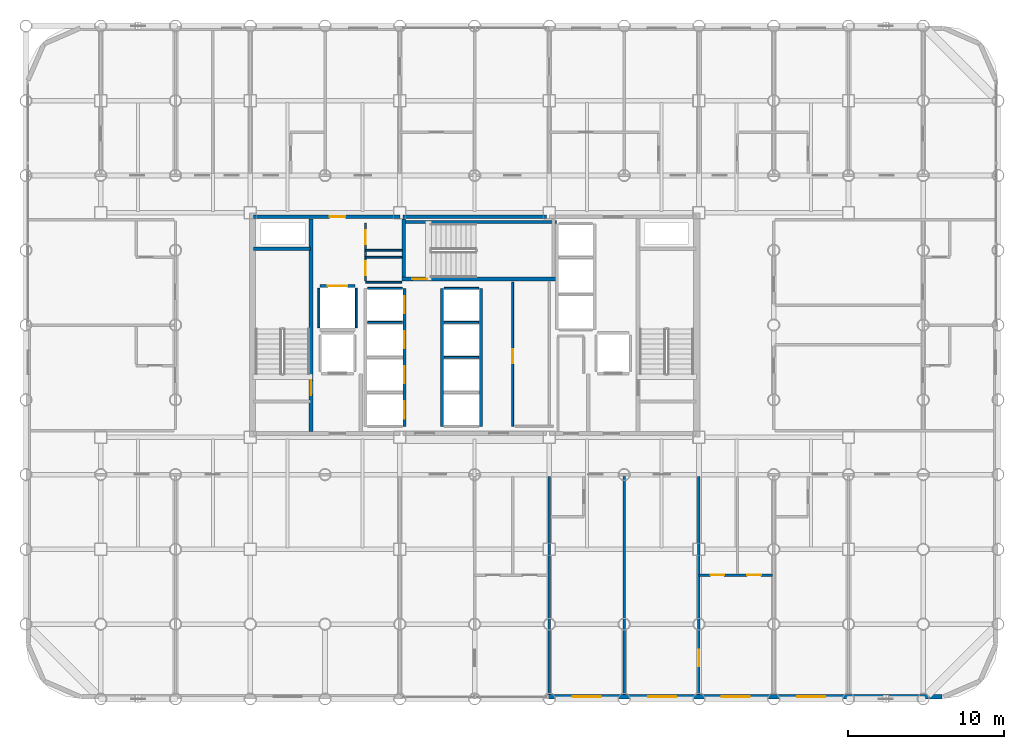
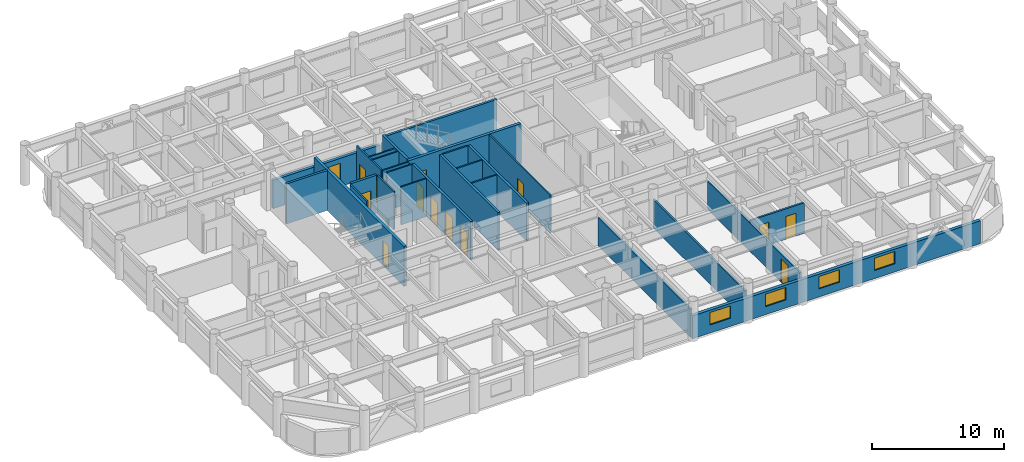
# One storey, part 16 of 20: 28 walls, 14 doors, 4 windows, 18 openings.
"""IFC4 building model written with IfcOpenShell, lengths in metres."""

import ifcopenshell
import ifcopenshell.guid

model = None  # the IFC model being written
_history = None  # IfcOwnerHistory: only IFC2X3 demands one
_inside = {}  # id of a spatial element -> (the spatial element, [elements in it])
_under = {}  # id of a project, library or spatial element -> (it, [spatial elements below it])
_declared = {}  # id of a project -> (the project, [libraries it declares])
_typed = {}  # id of a type object -> (the type object, [elements of that type])
_made_of = {}  # id of a material, layer set ... -> (it, [elements and type objects made of it])


def new_model(schema):
    """Start an empty IFC model of exactly this schema.

    Asked for "IFC4X3", IfcOpenShell would pick the latest addendum, in which some entities
    have other attributes; the version numbers below select the first issue.
    IFC2X3 requires an IfcOwnerHistory on every rooted entity: one is made here for all.
    """
    global model, _history
    if schema == "IFC4X3":
        model = ifcopenshell.file(schema_version=(4, 3, 0, 0))
    else:
        model = ifcopenshell.file(schema=schema)
    _inside.clear()
    _under.clear()
    _declared.clear()
    _typed.clear()
    _made_of.clear()
    _history = None
    if model.schema == "IFC2X3":
        org = make("IfcOrganization", Name="unknown")
        user = make(
            "IfcPersonAndOrganization",
            ThePerson=make("IfcPerson", FamilyName="unknown"),
            TheOrganization=org,
        )
        app = make(
            "IfcApplication",
            ApplicationDeveloper=org,
            Version="unknown",
            ApplicationFullName="unknown",
            ApplicationIdentifier="unknown",
        )
        _history = make(
            "IfcOwnerHistory",
            OwningUser=user,
            OwningApplication=app,
            ChangeAction="ADDED",
            CreationDate=0,
        )
    return model


def make(cls, **values):
    """One entity of the class cls with the attributes given. An attribute that is None is left unset."""
    return model.create_entity(
        cls, **{name: value for name, value in values.items() if value is not None}
    )


def rooted(cls, **values):
    """An entity with a GlobalId (a new one), such as an element, a storey or a relation."""
    return make(cls, GlobalId=ifcopenshell.guid.new(), OwnerHistory=_history, **values)


def si_unit(unit_type, name, prefix=None):
    """IfcSIUnit, for example si_unit("LENGTHUNIT", "METRE", prefix="MILLI")."""
    return make("IfcSIUnit", UnitType=unit_type, Prefix=prefix, Name=name)


def assignment(units):
    """IfcUnitAssignment: the units of a project."""
    return None if units is None else make("IfcUnitAssignment", Units=units)


def point(xyz):
    """IfcCartesianPoint."""
    return None if xyz is None else make("IfcCartesianPoint", Coordinates=xyz)


def direction(xyz):
    """IfcDirection."""
    return None if xyz is None else make("IfcDirection", DirectionRatios=xyz)


def frame(location, z_axis=None, x_axis=None):
    """IfcAxis2Placement3D, a coordinate frame: its origin and axes. An axis left out is left unset."""
    return make(
        "IfcAxis2Placement3D",
        Location=point(location),
        Axis=direction(z_axis),
        RefDirection=direction(x_axis),
    )


def frame_2d(location, x_axis=None):
    """IfcAxis2Placement2D, a coordinate frame in the plane: its origin and x axis."""
    return make(
        "IfcAxis2Placement2D", Location=point(location), RefDirection=direction(x_axis)
    )


def origin():
    """The frame at (0, 0, 0) with its axes left unset."""
    return frame((0.0, 0.0, 0.0))


def place(relative_to, where):
    """IfcLocalPlacement: puts the frame where relative to a parent placement (None: the world)."""
    return make(
        "IfcLocalPlacement", PlacementRelTo=relative_to, RelativePlacement=where
    )


def context(
    kind, dimensions, precision=None, world=None, true_north=None, identifier=None
):
    """IfcGeometricRepresentationContext, for example the 3D "Model" context."""
    return make(
        "IfcGeometricRepresentationContext",
        ContextIdentifier=identifier,
        ContextType=kind,
        CoordinateSpaceDimension=dimensions,
        Precision=precision,
        WorldCoordinateSystem=world,
        TrueNorth=true_north,
    )


def subcontext(parent, identifier, kind, view, scale=None):
    """IfcGeometricRepresentationSubContext, for example "Body" below "Model"."""
    return make(
        "IfcGeometricRepresentationSubContext",
        ContextIdentifier=identifier,
        ContextType=kind,
        ParentContext=parent,
        TargetScale=scale,
        TargetView=view,
    )


def project(units=None, contexts=None):
    """IfcProject with its units and contexts."""
    return rooted(
        "IfcProject",
        Name="project",
        RepresentationContexts=contexts,
        UnitsInContext=assignment(units),
    )


def spatial(cls, under=None, at=None, **own):
    """A site, building, storey or space (cls), placed at a placement, below another one or the project."""
    s = rooted(cls, ObjectPlacement=at, **own)
    if under is not None:
        _under.setdefault(under.id(), (under, []))[1].append(s)
    return s


def profile(cls, at=None, kind="AREA", **sizes):
    """A parametric profile (cls). Its sizes go by their IFC names, for example OverallWidth=200.0."""
    return make(cls, ProfileType=kind, Position=at, **sizes)


def rectangle(**sizes):
    """IfcRectangleProfileDef."""
    return profile("IfcRectangleProfileDef", **sizes)


def extrude(swept, where, along, depth):
    """IfcExtrudedAreaSolid: the profile swept, set in the frame where, extruded along a direction by depth."""
    return make(
        "IfcExtrudedAreaSolid",
        SweptArea=swept,
        Position=where,
        ExtrudedDirection=direction(along),
        Depth=depth,
    )


def shape(context_of_items, identifier, shape_type, items):
    """IfcShapeRepresentation: the items that make up one representation, for example the "Body"."""
    return make(
        "IfcShapeRepresentation",
        ContextOfItems=context_of_items,
        RepresentationIdentifier=identifier,
        RepresentationType=shape_type,
        Items=items,
    )


def material(Name=None, Category=None):
    """IfcMaterial."""
    return make("IfcMaterial", Name=Name, Category=Category)


def layer(
    of_material, thickness, ventilated=None, Name=None, Category=None, Priority=None
):
    """IfcMaterialLayer: one layer of a wall or slab, of a material (None: an air gap)."""
    return make(
        "IfcMaterialLayer",
        Material=of_material,
        LayerThickness=thickness,
        IsVentilated=ventilated,
        Name=Name,
        Category=Category,
        Priority=Priority,
    )


def layer_set(layers, Name=None):
    """IfcMaterialLayerSet."""
    return make("IfcMaterialLayerSet", MaterialLayers=layers, LayerSetName=Name)


def made_of(thing, what):
    """Note that an element or type object is made of a material, layer set ...; save() writes the relation."""
    if what is not None:
        _made_of.setdefault(what.id(), (what, []))[1].append(thing)
    return thing


def type_object(cls, material=None, **own):
    """A type object (cls), such as IfcWallType, which elements share."""
    return made_of(rooted(cls, **own), material)


def element(
    cls,
    number,
    at=None,
    inside=None,
    cuts=None,
    type_object=None,
    material=None,
    context=None,
    identifier="Body",
    shape_type=None,
    held_by="IfcProductDefinitionShape",
    body=None,
    shapes=None,
    **own,
):
    """One element of the class cls, such as IfcWall. Its Tag is "e" and its number.

    at: its placement. inside: the storey or other place that contains it. cuts: it is an
    opening in that element (IfcRelVoidsElement). A single representation is given by context,
    identifier, shape_type and body (its items); several are given by shapes. held_by: the class
    of the entity that holds the representations. save() writes the other relations.
    """
    e = rooted(cls, Tag="e%d" % number, ObjectPlacement=at, **own)
    if body is not None:
        shapes = [shape(context, identifier, shape_type, body)]
    if shapes is not None:
        e.Representation = make(held_by, Representations=shapes)
    if inside is not None:
        _inside.setdefault(inside.id(), (inside, []))[1].append(e)
    if cuts is not None:
        rooted(
            "IfcRelVoidsElement", RelatingBuildingElement=cuts, RelatedOpeningElement=e
        )
    if type_object is not None:
        _typed.setdefault(type_object.id(), (type_object, []))[1].append(e)
    return made_of(e, material)


def fill(opening, filler):
    """IfcRelFillsElement: the door or window that sits in an opening."""
    return rooted(
        "IfcRelFillsElement",
        RelatingOpeningElement=opening,
        RelatedBuildingElement=filler,
    )


def aggregate(whole, parts):
    """IfcRelAggregates: a whole, such as a stair, and the parts it consists of."""
    return rooted("IfcRelAggregates", RelatingObject=whole, RelatedObjects=parts)


def save(model, path):
    """Write the relations noted so far, then the file.

    IfcRelAggregates (storeys below a building ...), IfcRelContainedInSpatialStructure (elements
    in a storey), IfcRelDefinesByType, IfcRelAssociatesMaterial and IfcRelDeclares: one each for
    every whole, place, type object, material and project.
    """
    for whole, parts in _under.values():
        aggregate(whole, parts)
    for where, things in _inside.values():
        rooted(
            "IfcRelContainedInSpatialStructure",
            RelatedElements=things,
            RelatingStructure=where,
        )
    for kind, things in _typed.values():
        rooted("IfcRelDefinesByType", RelatedObjects=things, RelatingType=kind)
    for what, things in _made_of.values():
        rooted("IfcRelAssociatesMaterial", RelatedObjects=things, RelatingMaterial=what)
    for by, libraries in _declared.values():
        rooted("IfcRelDeclares", RelatingContext=by, RelatedDefinitions=libraries)
    model.write(path)


model = new_model("IFC4")

# Units and contexts
model_context = context("Model", 3, precision=1e-05, world=origin(), true_north=direction((0.0, 1.0)))
body_context = subcontext(model_context, "Body", "Model", "MODEL_VIEW")
ifc_project = project(units=[si_unit("LENGTHUNIT", "METRE"), si_unit("AREAUNIT", "SQUARE_METRE"), si_unit("VOLUMEUNIT", "CUBIC_METRE"), si_unit("PLANEANGLEUNIT", "RADIAN"), si_unit("MASSUNIT", "GRAM", prefix="KILO")], contexts=[model_context])

# Site, building, storey
site_placement = place(None, origin())
site = spatial("IfcSite", under=ifc_project, at=site_placement, CompositionType="ELEMENT")
building_placement = place(site_placement, origin())
building = spatial("IfcBuilding", under=site, at=building_placement, Name="Kallvorn Hotel Tower", CompositionType="ELEMENT")
storey_placement = place(building_placement, frame((0.0, 0.0, 70.699951171875)))
storey = spatial("IfcBuildingStorey", under=building, at=storey_placement, Name="L16", CompositionType="ELEMENT", Elevation=70.699951171875)

# Wall, openings, doors
ifc_material_1 = material(Name="Fire-rated double-layer acoustic gypsum drywall EI 60")
ifc_layer_1 = layer(ifc_material_1, 0.159912109375)
ifc_layer_set_1 = layer_set([ifc_layer_1], Name="WL_DEMISE_160")
wall_type_1 = type_object("IfcWallType", Name="WL_DEMISE_160", PredefinedType="PARTITIONING", material=ifc_layer_set_1)
wall_1_placement = place(storey_placement, frame((14.39990234375, -16.050048828125, 0.0), z_axis=(0.0, 0.0, 1.0), x_axis=(1.0, 0.0, 0.0)))
wall_1 = element("IfcWall", 1, at=wall_1_placement, inside=storey, type_object=wall_type_1, Name="L16 Suite 1607 Executive Bedroom Partition", PredefinedType="PARTITIONING", context=body_context, shape_type="SweptSolid", body=[
    extrude(rectangle(XDim=4.72021484375, YDim=0.159912109375, at=frame_2d((2.360107421875, 0.0))), origin(), (0.0, 0.0, 1.0), 2.820068359375),
])
opening_1_placement = place(wall_1_placement, frame((0.75, 0.0, 0.0)))
opening_1 = element("IfcOpeningElement", 2, at=opening_1_placement, cuts=wall_1, Name="Opening BD-I", PredefinedType="OPENING", context=body_context, shape_type="SweptSolid", body=[
    extrude(rectangle(XDim=0.860107421875, YDim=2.10009765625, at=frame_2d((0.43017578125, 1.050048828125))), frame((0.0, 0.094970703125, 0.0), z_axis=(0.0, -1.0, 0.0), x_axis=(1.0, 0.0, 0.0)), (0.0, 0.0, 1.0), 0.18994140625),
])
opening_2_placement = place(wall_1_placement, frame((3.090087890625, 0.0, 0.0)))
opening_2 = element("IfcOpeningElement", 3, at=opening_2_placement, cuts=wall_1, Name="Opening SVD1", PredefinedType="OPENING", context=body_context, shape_type="SweptSolid", body=[
    extrude(rectangle(XDim=0.89990234375, YDim=2.10009765625, at=frame_2d((0.449951171875, 1.050048828125))), frame((0.0, 0.094970703125, 0.0), z_axis=(0.0, -1.0, 0.0), x_axis=(1.0, 0.0, 0.0)), (0.0, 0.0, 1.0), 0.18994140625),
])
ifc_material_2 = material(Name="Solid-core walnut veneer fire-rated timber door leaf", Category="wood")
door_type_1 = type_object("IfcDoorType", Name="DR_BATH_860x2100", OperationType="NOTDEFINED", PredefinedType="DOOR", material=ifc_material_2)
door_1_placement = place(opening_1_placement, origin())
door_1 = element("IfcDoor", 4, at=door_1_placement, inside=storey, type_object=door_type_1, Name="L16 Suite 1607 En-Suite Bathroom Door", OperationType="SINGLE_SWING_RIGHT", OverallHeight=2.10009765625, OverallWidth=0.860107421875, PredefinedType="DOOR", context=body_context, shape_type="SweptSolid", body=[
    extrude(rectangle(XDim=0.860107421875, YDim=2.10009765625, at=frame_2d((0.43017578125, 1.050048828125))), frame((0.0, 0.02490234375, 0.0), z_axis=(0.0, -1.0, 0.0), x_axis=(1.0, 0.0, 0.0)), (0.0, 0.0, 1.0), 0.050048828125),
])
fill(opening_1, door_1)
ifc_material_3 = material(Name="Galvanised painted steel fire-rated door assembly", Category="steel")
door_type_2 = type_object("IfcDoorType", Name="DR_SERV_900x2100", OperationType="NOTDEFINED", PredefinedType="DOOR", material=ifc_material_3)
door_2_placement = place(opening_2_placement, origin())
door_2 = element("IfcDoor", 5, at=door_2_placement, inside=storey, type_object=door_type_2, Name="L16 Suite 1607 Walk-In Dressing Closet Door", OperationType="SINGLE_SWING_RIGHT", OverallHeight=2.10009765625, OverallWidth=0.89990234375, PredefinedType="DOOR", context=body_context, shape_type="SweptSolid", body=[
    extrude(rectangle(XDim=0.89990234375, YDim=2.10009765625, at=frame_2d((0.449951171875, 1.050048828125))), frame((0.0, 0.02490234375, 0.0), z_axis=(0.0, -1.0, 0.0), x_axis=(1.0, 0.0, 0.0)), (0.0, 0.0, 1.0), 0.050048828125),
])
fill(opening_2, door_2)

# Walls
for number, where, z_axis, x_axis, name in (
    (6, (4.800048828125, -23.7099609375, 0.0), (0.0, 0.0, 1.0), (0.0, 1.0, 0.0), "L16 Suite 1605 Executive Bedroom Partition"),
    (7, (9.60009765625, -23.7099609375, 0.0), (0.0, 0.0, 1.0), (0.0, 1.0, 0.0), "L16 Suite 1606 Deluxe King Room Partition"),
):
    element("IfcWall", number, at=place(storey_placement, frame(where, z_axis=z_axis, x_axis=x_axis)), inside=storey, type_object=wall_type_1, Name=name, PredefinedType="PARTITIONING", context=body_context, shape_type="SweptSolid", body=[
        extrude(rectangle(XDim=13.989990234375, YDim=0.159912109375, at=frame_2d((6.9951171875, 0.0))), origin(), (0.0, 0.0, 1.0), 2.6201171875),
    ])

# Wall, opening, door
wall_2_placement = place(storey_placement, frame((14.39990234375, -23.7099609375, 0.0), z_axis=(0.0, 0.0, 1.0), x_axis=(0.0, 1.0, 0.0)))
wall_2 = element("IfcWall", 8, at=wall_2_placement, inside=storey, type_object=wall_type_1, Name="L16 Suite 1607 Executive Bedroom Partition", PredefinedType="PARTITIONING", context=body_context, shape_type="SweptSolid", body=[
    extrude(rectangle(XDim=13.989990234375, YDim=0.159912109375, at=frame_2d((6.9951171875, 0.0))), origin(), (0.0, 0.0, 1.0), 2.6201171875),
])
opening_3_placement = place(wall_2_placement, frame((1.802978515625, 0.0, 0.0)))
opening_3 = element("IfcOpeningElement", 9, at=opening_3_placement, cuts=wall_2, Name="Opening GD2", PredefinedType="OPENING", context=body_context, shape_type="SweptSolid", body=[
    extrude(rectangle(XDim=1.050048828125, YDim=2.199951171875, at=frame_2d((0.52490234375, 1.10009765625))), frame((0.0, 0.094970703125, 0.0), z_axis=(0.0, -1.0, 0.0), x_axis=(1.0, 0.0, 0.0)), (0.0, 0.0, 1.0), 0.18994140625),
])
ifc_material_4 = material(Name="Solid-core walnut veneer fire-rated timber door leaf", Category="wood")
door_type_3 = type_object("IfcDoorType", Name="DR_SUITE_1050x2200", OperationType="NOTDEFINED", PredefinedType="DOOR", material=ifc_material_4)
door_3_placement = place(opening_3_placement, origin())
door_3 = element("IfcDoor", 10, at=door_3_placement, inside=storey, type_object=door_type_3, Name="L16 Suite 1607 Executive Bedroom Door", OperationType="SINGLE_SWING_RIGHT", OverallHeight=2.199951171875, OverallWidth=1.050048828125, PredefinedType="DOOR", context=body_context, shape_type="SweptSolid", body=[
    extrude(rectangle(XDim=1.050048828125, YDim=2.199951171875, at=frame_2d((0.52490234375, 1.10009765625))), frame((0.0, 0.02490234375, 0.0), z_axis=(0.0, -1.0, 0.0), x_axis=(1.0, 0.0, 0.0)), (0.0, 0.0, 1.0), 0.050048828125),
])
fill(opening_3, door_3)

# Wall, openings, windows
ifc_material_5 = material(Name="Precast basalt-clad insulated concrete wall C40/50", Category="masonry")
ifc_layer_2 = layer(ifc_material_5, 0.280029296875)
ifc_layer_set_2 = layer_set([ifc_layer_2], Name="WL_EXT_LOGGIA_280")
wall_type_2 = type_object("IfcWallType", Name="WL_EXT_LOGGIA_280", PredefinedType="SOLIDWALL", material=ifc_layer_set_2)
wall_3_placement = place(storey_placement, frame((4.75, -23.860107421875, 0.0), z_axis=(0.0, 0.0, 1.0), x_axis=(1.0, 0.0, 0.0)))
wall_3 = element("IfcWall", 11, at=wall_3_placement, inside=storey, type_object=wall_type_2, Name="L16 Exterior Envelope Wall EW-L16-SE", PredefinedType="SOLIDWALL", context=body_context, shape_type="SweptSolid", body=[
    extrude(rectangle(XDim=25.25, YDim=0.280029296875, at=frame_2d((12.625, 0.0))), origin(), (0.0, 0.0, 1.0), 2.1201171875),
])
opening_4_placement = place(wall_3_placement, frame((1.550048828125, 0.0, 0.75)))
opening_4 = element("IfcOpeningElement", 12, at=opening_4_placement, cuts=wall_3, Name="Opening W04A", PredefinedType="OPENING", context=body_context, shape_type="SweptSolid", body=[
    extrude(rectangle(XDim=1.800048828125, YDim=1.14990234375, at=frame_2d((0.89990234375, 0.574951171875))), frame((0.0, 0.155029296875, 0.0), z_axis=(0.0, -1.0, 0.0), x_axis=(1.0, 0.0, 0.0)), (0.0, 0.0, 1.0), 0.31005859375),
])
opening_5_placement = place(wall_3_placement, frame((6.389892578125, 0.0, 0.75)))
opening_5 = element("IfcOpeningElement", 13, at=opening_5_placement, cuts=wall_3, Name="Opening W04A", PredefinedType="OPENING", context=body_context, shape_type="SweptSolid", body=[
    extrude(rectangle(XDim=1.800048828125, YDim=1.14990234375, at=frame_2d((0.89990234375, 0.574951171875))), frame((0.0, 0.155029296875, 0.0), z_axis=(0.0, -1.0, 0.0), x_axis=(1.0, 0.0, 0.0)), (0.0, 0.0, 1.0), 0.31005859375),
])
opening_6_placement = place(wall_3_placement, frame((11.110107421875, 0.0, 0.75)))
opening_6 = element("IfcOpeningElement", 14, at=opening_6_placement, cuts=wall_3, Name="Opening W04A", PredefinedType="OPENING", context=body_context, shape_type="SweptSolid", body=[
    extrude(rectangle(XDim=1.800048828125, YDim=1.14990234375, at=frame_2d((0.89990234375, 0.574951171875))), frame((0.0, 0.155029296875, 0.0), z_axis=(0.0, -1.0, 0.0), x_axis=(1.0, 0.0, 0.0)), (0.0, 0.0, 1.0), 0.31005859375),
])
opening_7_placement = place(wall_3_placement, frame((15.949951171875, 0.0, 0.75)))
opening_7 = element("IfcOpeningElement", 15, at=opening_7_placement, cuts=wall_3, Name="Opening W04A", PredefinedType="OPENING", context=body_context, shape_type="SweptSolid", body=[
    extrude(rectangle(XDim=1.800048828125, YDim=1.14990234375, at=frame_2d((0.89990234375, 0.574951171875))), frame((0.0, 0.155029296875, 0.0), z_axis=(0.0, -1.0, 0.0), x_axis=(1.0, 0.0, 0.0)), (0.0, 0.0, 1.0), 0.31005859375),
])
ifc_material_6 = material(Name="Double-glazed low-e solar-control dark glass", Category="glass")
window_type = type_object("IfcWindowType", Name="WN_HTL_1800x1150", PartitioningType="SINGLE_PANEL", PredefinedType="WINDOW", material=ifc_material_6)
window_1_placement = place(opening_4_placement, origin())
window_1 = element("IfcWindow", 16, at=window_1_placement, inside=storey, type_object=window_type, Name="L16 Guestroom Exterior Window 04", OverallHeight=1.14990234375, OverallWidth=1.800048828125, PartitioningType="SINGLE_PANEL", PredefinedType="WINDOW", context=body_context, shape_type="SweptSolid", body=[
    extrude(rectangle(XDim=1.800048828125, YDim=1.14990234375, at=frame_2d((0.89990234375, 0.574951171875))), frame((0.0, 0.030029296875, 0.0), z_axis=(0.0, -1.0, 0.0), x_axis=(1.0, 0.0, 0.0)), (0.0, 0.0, 1.0), 0.06005859375),
])
fill(opening_4, window_1)
window_2_placement = place(opening_5_placement, origin())
window_2 = element("IfcWindow", 17, at=window_2_placement, inside=storey, type_object=window_type, Name="L16 Guestroom Exterior Window 05", OverallHeight=1.14990234375, OverallWidth=1.800048828125, PartitioningType="SINGLE_PANEL", PredefinedType="WINDOW", context=body_context, shape_type="SweptSolid", body=[
    extrude(rectangle(XDim=1.800048828125, YDim=1.14990234375, at=frame_2d((0.89990234375, 0.574951171875))), frame((0.0, 0.030029296875, 0.0), z_axis=(0.0, -1.0, 0.0), x_axis=(1.0, 0.0, 0.0)), (0.0, 0.0, 1.0), 0.06005859375),
])
fill(opening_5, window_2)
window_3_placement = place(opening_6_placement, origin())
window_3 = element("IfcWindow", 18, at=window_3_placement, inside=storey, type_object=window_type, Name="L16 Guestroom Exterior Window 06", OverallHeight=1.14990234375, OverallWidth=1.800048828125, PartitioningType="SINGLE_PANEL", PredefinedType="WINDOW", context=body_context, shape_type="SweptSolid", body=[
    extrude(rectangle(XDim=1.800048828125, YDim=1.14990234375, at=frame_2d((0.89990234375, 0.574951171875))), frame((0.0, 0.030029296875, 0.0), z_axis=(0.0, -1.0, 0.0), x_axis=(1.0, 0.0, 0.0)), (0.0, 0.0, 1.0), 0.06005859375),
])
fill(opening_6, window_3)
window_4_placement = place(opening_7_placement, origin())
window_4 = element("IfcWindow", 19, at=window_4_placement, inside=storey, type_object=window_type, Name="L16 Guestroom Exterior Window 07", OverallHeight=1.14990234375, OverallWidth=1.800048828125, PartitioningType="SINGLE_PANEL", PredefinedType="WINDOW", context=body_context, shape_type="SweptSolid", body=[
    extrude(rectangle(XDim=1.800048828125, YDim=1.14990234375, at=frame_2d((0.89990234375, 0.574951171875))), frame((0.0, 0.030029296875, 0.0), z_axis=(0.0, -1.0, 0.0), x_axis=(1.0, 0.0, 0.0)), (0.0, 0.0, 1.0), 0.06005859375),
])
fill(opening_7, window_4)

# Walls
ifc_material_7 = material(Name="Concrete C40/50", Category="concrete")
ifc_layer_3 = layer(ifc_material_7, 0.199951171875)
ifc_layer_set_3 = layer_set([ifc_layer_3], Name="WL_HOIST_200")
wall_type_3 = type_object("IfcWallType", Name="WL_HOIST_200", PredefinedType="SOLIDWALL", material=ifc_layer_set_3)
wall_4_placement = place(storey_placement, frame((-14.199951171875, 4.89990234375, -0.179931640625), z_axis=(0.0, 0.0, 1.0), x_axis=(1.0, 0.0, 0.0)))
element("IfcWall", 20, at=wall_4_placement, inside=storey, type_object=wall_type_3, Name="L16 Stair ST1 North Wall", PredefinedType="SOLIDWALL", context=body_context, shape_type="SweptSolid", body=[
    extrude(rectangle(XDim=3.64990234375, YDim=0.199951171875, at=frame_2d((1.824951171875, 0.0))), origin(), (0.0, 0.0, 1.0), 3.699951171875),
])
wall_5_placement = place(storey_placement, frame((-4.64990234375, 6.610107421875, -0.179931640625), z_axis=(0.0, 0.0, 1.0), x_axis=(1.0, 0.0, 0.0)))
element("IfcWall", 21, at=wall_5_placement, inside=storey, type_object=wall_type_3, Name="L16 Stair ST3 Shaft North Wall", PredefinedType="SOLIDWALL", context=body_context, shape_type="SweptSolid", body=[
    extrude(rectangle(XDim=9.89990234375, YDim=0.199951171875, at=frame_2d((4.949951171875, 0.0))), origin(), (0.0, 0.0, 1.0), 3.699951171875),
])
wall_6_placement = place(storey_placement, frame((-4.550048828125, 3.080078125, -0.179931640625), z_axis=(0.0, 0.0, 1.0), x_axis=(0.0, 1.0, 0.0)))
element("IfcWall", 22, at=wall_6_placement, inside=storey, type_object=wall_type_3, Name="L16 Stair ST3 West Wall", PredefinedType="SOLIDWALL", context=body_context, shape_type="SweptSolid", body=[
    extrude(rectangle(XDim=3.739990234375, YDim=0.199951171875, at=frame_2d((1.8701171875, 0.0))), origin(), (0.0, 0.0, 1.0), 3.699951171875),
])

# Wall, openings, doors
wall_7_placement = place(storey_placement, frame((-4.5, -6.5, 0.0), z_axis=(0.0, 0.0, 1.0), x_axis=(0.0, 1.0, 0.0)))
wall_7 = element("IfcWall", 23, at=wall_7_placement, inside=storey, type_object=wall_type_3, Name="L16 Lift Bank B1 Landing Wall", PredefinedType="SOLIDWALL", context=body_context, shape_type="SweptSolid", body=[
    extrude(rectangle(XDim=8.85009765625, YDim=0.199951171875, at=frame_2d((4.425048828125, 0.0))), origin(), (0.0, 0.0, 1.0), 3.52001953125),
])
opening_8_placement = place(wall_7_placement, frame((0.5, 0.0, 0.0)))
opening_8 = element("IfcOpeningElement", 24, at=opening_8_placement, cuts=wall_7, Name="Opening LD-PL-01", PredefinedType="OPENING", context=body_context, shape_type="SweptSolid", body=[
    extrude(rectangle(XDim=1.10009765625, YDim=2.199951171875, at=frame_2d((0.550048828125, 1.10009765625))), frame((0.0, 0.114990234375, 0.0), z_axis=(0.0, -1.0, 0.0), x_axis=(1.0, 0.0, 0.0)), (0.0, 0.0, 1.0), 0.22998046875),
])
opening_9_placement = place(wall_7_placement, frame((2.75, 0.0, 0.0)))
opening_9 = element("IfcOpeningElement", 25, at=opening_9_placement, cuts=wall_7, Name="Opening LD-PL-02", PredefinedType="OPENING", context=body_context, shape_type="SweptSolid", body=[
    extrude(rectangle(XDim=1.10009765625, YDim=2.199951171875, at=frame_2d((0.550048828125, 1.10009765625))), frame((0.0, 0.114990234375, 0.0), z_axis=(0.0, -1.0, 0.0), x_axis=(1.0, 0.0, 0.0)), (0.0, 0.0, 1.0), 0.22998046875),
])
opening_10_placement = place(wall_7_placement, frame((5.0, 0.0, 0.0)))
opening_10 = element("IfcOpeningElement", 26, at=opening_10_placement, cuts=wall_7, Name="Opening LD-PL-03", PredefinedType="OPENING", context=body_context, shape_type="SweptSolid", body=[
    extrude(rectangle(XDim=1.10009765625, YDim=2.199951171875, at=frame_2d((0.550048828125, 1.10009765625))), frame((0.0, 0.114990234375, 0.0), z_axis=(0.0, -1.0, 0.0), x_axis=(1.0, 0.0, 0.0)), (0.0, 0.0, 1.0), 0.22998046875),
])
opening_11_placement = place(wall_7_placement, frame((7.25, 0.0, 0.0)))
opening_11 = element("IfcOpeningElement", 27, at=opening_11_placement, cuts=wall_7, Name="Opening LD-PL-04", PredefinedType="OPENING", context=body_context, shape_type="SweptSolid", body=[
    extrude(rectangle(XDim=1.10009765625, YDim=2.199951171875, at=frame_2d((0.550048828125, 1.10009765625))), frame((0.0, 0.114990234375, 0.0), z_axis=(0.0, -1.0, 0.0), x_axis=(1.0, 0.0, 0.0)), (0.0, 0.0, 1.0), 0.22998046875),
])
ifc_material_8 = material(Name="Brushed stainless-steel automatic sliding lift landing door", Category="steel")
door_type_4 = type_object("IfcDoorType", Name="LD_PASS_1100x2200", OperationType="SLIDING_TO_LEFT", PredefinedType="DOOR", material=ifc_material_8)
door_4_placement = place(opening_8_placement, origin())
door_4 = element("IfcDoor", 28, at=door_4_placement, inside=storey, type_object=door_type_4, Name="L16 Lift Landing Sliding Door LD-PL-01", OperationType="SLIDING_TO_LEFT", OverallHeight=2.199951171875, OverallWidth=1.10009765625, PredefinedType="DOOR", context=body_context, shape_type="SweptSolid", body=[
    extrude(rectangle(XDim=1.10009765625, YDim=2.199951171875, at=frame_2d((0.550048828125, 1.10009765625))), frame((0.0, 0.02490234375, 0.0), z_axis=(0.0, -1.0, 0.0), x_axis=(1.0, 0.0, 0.0)), (0.0, 0.0, 1.0), 0.050048828125),
])
fill(opening_8, door_4)
door_5_placement = place(opening_9_placement, origin())
door_5 = element("IfcDoor", 29, at=door_5_placement, inside=storey, type_object=door_type_4, Name="L16 Lift Landing Sliding Door LD-PL-02", OperationType="SLIDING_TO_LEFT", OverallHeight=2.199951171875, OverallWidth=1.10009765625, PredefinedType="DOOR", context=body_context, shape_type="SweptSolid", body=[
    extrude(rectangle(XDim=1.10009765625, YDim=2.199951171875, at=frame_2d((0.550048828125, 1.10009765625))), frame((0.0, 0.02490234375, 0.0), z_axis=(0.0, -1.0, 0.0), x_axis=(1.0, 0.0, 0.0)), (0.0, 0.0, 1.0), 0.050048828125),
])
fill(opening_9, door_5)
door_6_placement = place(opening_10_placement, origin())
door_6 = element("IfcDoor", 30, at=door_6_placement, inside=storey, type_object=door_type_4, Name="L16 Lift Landing Sliding Door LD-PL-03", OperationType="SLIDING_TO_LEFT", OverallHeight=2.199951171875, OverallWidth=1.10009765625, PredefinedType="DOOR", context=body_context, shape_type="SweptSolid", body=[
    extrude(rectangle(XDim=1.10009765625, YDim=2.199951171875, at=frame_2d((0.550048828125, 1.10009765625))), frame((0.0, 0.02490234375, 0.0), z_axis=(0.0, -1.0, 0.0), x_axis=(1.0, 0.0, 0.0)), (0.0, 0.0, 1.0), 0.050048828125),
])
fill(opening_10, door_6)
door_7_placement = place(opening_11_placement, origin())
door_7 = element("IfcDoor", 31, at=door_7_placement, inside=storey, type_object=door_type_4, Name="L16 Lift Landing Sliding Door LD-PL-04", OperationType="SLIDING_TO_LEFT", OverallHeight=2.199951171875, OverallWidth=1.10009765625, PredefinedType="DOOR", context=body_context, shape_type="SweptSolid", body=[
    extrude(rectangle(XDim=1.10009765625, YDim=2.199951171875, at=frame_2d((0.550048828125, 1.10009765625))), frame((0.0, 0.02490234375, 0.0), z_axis=(0.0, -1.0, 0.0), x_axis=(1.0, 0.0, 0.0)), (0.0, 0.0, 1.0), 0.050048828125),
])
fill(opening_11, door_7)

# Walls
for number, where, z_axis, x_axis, name in (
    (32, (-2.10009765625, -6.5, 0.0), (0.0, 0.0, 1.0), (0.0, 1.0, 0.0), "L16 Lift Bank B2 Landing Wall"),
    (33, (0.39990234375, -6.5, 0.0), (0.0, 0.0, 1.0), (0.0, 1.0, 0.0), "L16 Lift Bank B2 Rear Shaft Wall"),
):
    element("IfcWall", number, at=place(storey_placement, frame(where, z_axis=z_axis, x_axis=x_axis)), inside=storey, type_object=wall_type_3, Name=name, PredefinedType="SOLIDWALL", context=body_context, shape_type="SweptSolid", body=[
        extrude(rectangle(XDim=8.85009765625, YDim=0.199951171875, at=frame_2d((4.425048828125, 0.0))), origin(), (0.0, 0.0, 1.0), 3.52001953125),
    ])

# Wall, opening, door
wall_8_placement = place(storey_placement, frame((-9.919921875, 2.5, 0.0), z_axis=(0.0, 0.0, 1.0), x_axis=(1.0, 0.0, 0.0)))
wall_8 = element("IfcWall", 34, at=wall_8_placement, inside=storey, type_object=wall_type_3, Name="L16 SV-01 Landing Wall", PredefinedType="SOLIDWALL", context=body_context, shape_type="SweptSolid", body=[
    extrude(rectangle(XDim=2.239990234375, YDim=0.199951171875, at=frame_2d((1.1201171875, 0.0))), origin(), (0.0, 0.0, 1.0), 3.52001953125),
])
opening_12_placement = place(wall_8_placement, frame((0.4951171875, 0.0, 0.0)))
opening_12 = element("IfcOpeningElement", 35, at=opening_12_placement, cuts=wall_8, Name="Opening LD-SV-01", PredefinedType="OPENING", context=body_context, shape_type="SweptSolid", body=[
    extrude(rectangle(XDim=1.25, YDim=2.25, at=frame_2d((0.625, 1.125))), frame((0.0, 0.114990234375, 0.0), z_axis=(0.0, -1.0, 0.0), x_axis=(1.0, 0.0, 0.0)), (0.0, 0.0, 1.0), 0.22998046875),
])
ifc_material_9 = material(Name="Brushed stainless-steel automatic sliding lift landing door", Category="steel")
door_type_5 = type_object("IfcDoorType", Name="LD_SERV_1250x2250", OperationType="SLIDING_TO_LEFT", PredefinedType="DOOR", material=ifc_material_9)
door_8_placement = place(opening_12_placement, origin())
door_8 = element("IfcDoor", 36, at=door_8_placement, inside=storey, type_object=door_type_5, Name="L16 Lift Landing Sliding Door LD-SV-01", OperationType="SLIDING_TO_LEFT", OverallHeight=2.25, OverallWidth=1.25, PredefinedType="DOOR", context=body_context, shape_type="SweptSolid", body=[
    extrude(rectangle(XDim=1.25, YDim=2.25, at=frame_2d((0.625, 1.125))), frame((0.0, 0.02490234375, 0.0), z_axis=(0.0, -1.0, 0.0), x_axis=(1.0, 0.0, 0.0)), (0.0, 0.0, 1.0), 0.050048828125),
])
fill(opening_12, door_8)

# Walls
ifc_material_10 = material(Name="Fire-rated double-layer acoustic gypsum drywall EI 60")
ifc_layer_4 = layer(ifc_material_10, 0.1201171875)
ifc_layer_set_4 = layer_set([ifc_layer_4], Name="WL_INT_120")
wall_type_4 = type_object("IfcWallType", Name="WL_INT_120", PredefinedType="PARTITIONING", material=ifc_layer_set_4)
for number, where, z_axis, x_axis, name in (
    (37, (-6.860107421875, 0.175048828125, 0.0), (0.0, 0.0, 1.0), (1.0, 0.0, 0.0), "L16 PL-03 Hoistway Divider"),
    (38, (-6.860107421875, 2.35009765625, 0.0), (0.0, 0.0, 1.0), (1.0, 0.0, 0.0), "L16 PL-04 Hoistway Divider"),
):
    element("IfcWall", number, at=place(storey_placement, frame(where, z_axis=z_axis, x_axis=x_axis)), inside=storey, type_object=wall_type_4, Name=name, PredefinedType="PARTITIONING", context=body_context, shape_type="SweptSolid", body=[
        extrude(rectangle(XDim=2.22021484375, YDim=0.1201171875, at=frame_2d((1.110107421875, 0.0))), origin(), (0.0, 0.0, 1.0), 3.52001953125),
    ])
for number, where, z_axis, x_axis, name in (
    (39, (-1.9599609375, -2.074951171875, 0.0), (0.0, 0.0, 1.0), (1.0, 0.0, 0.0), "L16 PL-06 Hoistway Divider"),
    (40, (-1.9599609375, 0.175048828125, 0.0), (0.0, 0.0, 1.0), (1.0, 0.0, 0.0), "L16 PL-07 Hoistway Divider"),
    (41, (-1.9599609375, 2.35009765625, 0.0), (0.0, 0.0, 1.0), (1.0, 0.0, 0.0), "L16 PL-08 Hoistway Divider"),
):
    element("IfcWall", number, at=place(storey_placement, frame(where, z_axis=z_axis, x_axis=x_axis)), inside=storey, type_object=wall_type_4, Name=name, PredefinedType="PARTITIONING", context=body_context, shape_type="SweptSolid", body=[
        extrude(rectangle(XDim=2.219970703125, YDim=0.1201171875, at=frame_2d((1.10986328125, 0.0))), origin(), (0.0, 0.0, 1.0), 3.52001953125),
    ])
for number, where, z_axis, x_axis, name in (
    (42, (-10.0, -0.159912109375, 0.0), (0.0, 0.0, 1.0), (0.0, 1.0, 0.0), "L16 SV-01 West Shaft Wall"),
    (43, (-7.60009765625, -0.159912109375, 0.0), (0.0, 0.0, 1.0), (0.0, 1.0, 0.0), "L16 SV-01 East Shaft Wall"),
):
    element("IfcWall", number, at=place(storey_placement, frame(where, z_axis=z_axis, x_axis=x_axis)), inside=storey, type_object=wall_type_4, Name=name, PredefinedType="PARTITIONING", context=body_context, shape_type="SweptSolid", body=[
        extrude(rectangle(XDim=2.52001953125, YDim=0.1201171875, at=frame_2d((1.260009765625, 0.0))), origin(), (0.0, 0.0, 1.0), 3.52001953125),
    ])
wall_9_placement = place(storey_placement, frame((-7.0, 2.75, 0.0), z_axis=(0.0, 0.0, 1.0), x_axis=(1.0, 0.0, 0.0)))
element("IfcWall", 44, at=wall_9_placement, inside=storey, type_object=wall_type_4, Name="L16 Core Ice and Vending Pantry Partition", PredefinedType="PARTITIONING", context=body_context, shape_type="SweptSolid", body=[
    extrude(rectangle(XDim=2.31005859375, YDim=0.1201171875, at=frame_2d((1.155029296875, 0.0))), origin(), (0.0, 0.0, 1.0), 3.52001953125),
])
for number, where, z_axis, x_axis, name in (
    (45, (-7.0, 4.35009765625, 0.0), (0.0, 0.0, 1.0), (1.0, 0.0, 0.0), "L16 Core Ice and Vending Pantry Partition"),
    (46, (-7.0, 4.800048828125, 0.0), (0.0, 0.0, 1.0), (1.0, 0.0, 0.0), "L16 Core Linen Supply Closet Partition"),
):
    element("IfcWall", number, at=place(storey_placement, frame(where, z_axis=z_axis, x_axis=x_axis)), inside=storey, type_object=wall_type_4, Name=name, PredefinedType="PARTITIONING", context=body_context, shape_type="SweptSolid", body=[
        extrude(rectangle(XDim=2.35009765625, YDim=0.1201171875, at=frame_2d((1.175048828125, 0.0))), origin(), (0.0, 0.0, 1.0), 3.52001953125),
    ])

# Wall, openings, doors
wall_10_placement = place(storey_placement, frame((-7.0, 2.8349609375, 0.0), z_axis=(0.0, 0.0, 1.0), x_axis=(0.0, 1.0, 0.0)))
wall_10 = element("IfcWall", 47, at=wall_10_placement, inside=storey, type_object=wall_type_4, Name="L16 Core Ice and Vending Pantry Partition", PredefinedType="PARTITIONING", context=body_context, shape_type="SweptSolid", body=[
    extrude(rectangle(XDim=3.715087890625, YDim=0.1201171875, at=frame_2d((1.857421875, 0.0))), origin(), (0.0, 0.0, 1.0), 3.52001953125),
])
opening_13_placement = place(wall_10_placement, frame((0.364990234375, 0.0, 0.0)))
opening_13 = element("IfcOpeningElement", 48, at=opening_13_placement, cuts=wall_10, Name="Opening SVD1", PredefinedType="OPENING", context=body_context, shape_type="SweptSolid", body=[
    extrude(rectangle(XDim=0.89990234375, YDim=2.10009765625, at=frame_2d((0.449951171875, 1.050048828125))), frame((0.0, 0.074951171875, 0.0), z_axis=(0.0, -1.0, 0.0), x_axis=(1.0, 0.0, 0.0)), (0.0, 0.0, 1.0), 0.150146484375),
])
opening_14_placement = place(wall_10_placement, frame((2.364990234375, 0.0, 0.0)))
opening_14 = element("IfcOpeningElement", 49, at=opening_14_placement, cuts=wall_10, Name="Opening SVD1", PredefinedType="OPENING", context=body_context, shape_type="SweptSolid", body=[
    extrude(rectangle(XDim=0.89990234375, YDim=2.10009765625, at=frame_2d((0.449951171875, 1.050048828125))), frame((0.0, 0.074951171875, 0.0), z_axis=(0.0, -1.0, 0.0), x_axis=(1.0, 0.0, 0.0)), (0.0, 0.0, 1.0), 0.150146484375),
])
door_9_placement = place(opening_13_placement, origin())
door_9 = element("IfcDoor", 50, at=door_9_placement, inside=storey, type_object=door_type_2, Name="L16 Core Ice and Vending Pantry Door", OperationType="SINGLE_SWING_RIGHT", OverallHeight=2.10009765625, OverallWidth=0.89990234375, PredefinedType="DOOR", context=body_context, shape_type="SweptSolid", body=[
    extrude(rectangle(XDim=0.89990234375, YDim=2.10009765625, at=frame_2d((0.449951171875, 1.050048828125))), frame((0.0, 0.02490234375, 0.0), z_axis=(0.0, -1.0, 0.0), x_axis=(1.0, 0.0, 0.0)), (0.0, 0.0, 1.0), 0.050048828125),
])
fill(opening_13, door_9)
door_10_placement = place(opening_14_placement, origin())
door_10 = element("IfcDoor", 51, at=door_10_placement, inside=storey, type_object=door_type_2, Name="L16 Core Linen Supply Closet Door", OperationType="SINGLE_SWING_LEFT", OverallHeight=2.10009765625, OverallWidth=0.89990234375, PredefinedType="DOOR", context=body_context, shape_type="SweptSolid", body=[
    extrude(rectangle(XDim=0.89990234375, YDim=2.10009765625, at=frame_2d((0.449951171875, 1.050048828125))), frame((0.0, 0.02490234375, 0.0), z_axis=(0.0, -1.0, 0.0), x_axis=(1.0, 0.0, 0.0)), (0.0, 0.0, 1.0), 0.050048828125),
])
fill(opening_14, door_10)

# Wall, opening, door
wall_11_placement = place(storey_placement, frame((2.43994140625, -6.5, 0.0), z_axis=(0.0, 0.0, 1.0), x_axis=(0.0, 1.0, 0.0)))
wall_11 = element("IfcWall", 52, at=wall_11_placement, inside=storey, type_object=wall_type_4, Name="L16 East Core Consolidated Linen and Supply Store Partition", PredefinedType="PARTITIONING", context=body_context, shape_type="SweptSolid", body=[
    extrude(rectangle(XDim=9.25, YDim=0.1201171875, at=frame_2d((4.625, 0.0))), origin(), (0.0, 0.0, 1.0), 3.52001953125),
])
opening_15_placement = place(wall_11_placement, frame((4.050048828125, 0.0, 0.0)))
opening_15 = element("IfcOpeningElement", 53, at=opening_15_placement, cuts=wall_11, Name="Opening SVD1", PredefinedType="OPENING", context=body_context, shape_type="SweptSolid", body=[
    extrude(rectangle(XDim=0.89990234375, YDim=2.10009765625, at=frame_2d((0.449951171875, 1.050048828125))), frame((0.0, 0.074951171875, 0.0), z_axis=(0.0, -1.0, 0.0), x_axis=(1.0, 0.0, 0.0)), (0.0, 0.0, 1.0), 0.150146484375),
])
door_11_placement = place(opening_15_placement, origin())
door_11 = element("IfcDoor", 54, at=door_11_placement, inside=storey, type_object=door_type_2, Name="L16 East Core Consolidated Linen and Supply Store Door", OperationType="SINGLE_SWING_RIGHT", OverallHeight=2.10009765625, OverallWidth=0.89990234375, PredefinedType="DOOR", context=body_context, shape_type="SweptSolid", body=[
    extrude(rectangle(XDim=0.89990234375, YDim=2.10009765625, at=frame_2d((0.449951171875, 1.050048828125))), frame((0.0, 0.02490234375, 0.0), z_axis=(0.0, -1.0, 0.0), x_axis=(1.0, 0.0, 0.0)), (0.0, 0.0, 1.0), 0.050048828125),
])
fill(opening_15, door_11)

ifc_material_11 = material(Name="Concrete C40/50", Category="concrete")
ifc_layer_5 = layer(ifc_material_11, 0.25)
ifc_layer_set_5 = layer_set([ifc_layer_5], Name="WL_SHAFT_250")
wall_type_5 = type_object("IfcWallType", Name="WL_SHAFT_250", PredefinedType="SOLIDWALL", material=ifc_layer_set_5)
wall_12_placement = place(storey_placement, frame((-14.199951171875, 6.949951171875, 0.0), z_axis=(0.0, 0.0, 1.0), x_axis=(1.0, 0.0, 0.0)))
wall_12 = element("IfcWall", 55, at=wall_12_placement, inside=storey, type_object=wall_type_5, Name="L16 Core North-West Wall", PredefinedType="SOLIDWALL", context=body_context, shape_type="SweptSolid", body=[
    extrude(rectangle(XDim=9.39990234375, YDim=0.25, at=frame_2d((4.699951171875, 0.0))), origin(), (0.0, 0.0, 1.0), 2.6201171875),
])
opening_16_placement = place(wall_12_placement, frame((4.89990234375, 0.0, 0.0)))
opening_16 = element("IfcOpeningElement", 56, at=opening_16_placement, cuts=wall_12, Name="Opening FD1", PredefinedType="OPENING", context=body_context, shape_type="SweptSolid", body=[
    extrude(rectangle(XDim=1.0, YDim=2.14990234375, at=frame_2d((0.5, 1.074951171875))), frame((0.0, 0.139892578125, 0.0), z_axis=(0.0, -1.0, 0.0), x_axis=(1.0, 0.0, 0.0)), (0.0, 0.0, 1.0), 0.280029296875),
])
ifc_material_12 = material(Name="Galvanised painted steel fire-rated door assembly", Category="steel")
door_type_6 = type_object("IfcDoorType", Name="DR_FFL_1000x2150", OperationType="NOTDEFINED", PredefinedType="DOOR", material=ifc_material_12)
door_12_placement = place(opening_16_placement, origin())
door_12 = element("IfcDoor", 57, at=door_12_placement, inside=storey, type_object=door_type_6, Name="L16 Service Lift Lobby Door", OperationType="SINGLE_SWING_LEFT", OverallHeight=2.14990234375, OverallWidth=1.0, PredefinedType="DOOR", context=body_context, shape_type="SweptSolid", body=[
    extrude(rectangle(XDim=1.0, YDim=2.14990234375, at=frame_2d((0.5, 1.074951171875))), frame((0.0, 0.02490234375, 0.0), z_axis=(0.0, -1.0, 0.0), x_axis=(1.0, 0.0, 0.0)), (0.0, 0.0, 1.0), 0.050048828125),
])
fill(opening_16, door_12)

# Wall
wall_13_placement = place(storey_placement, frame((-4.60009765625, 6.949951171875, 0.0), z_axis=(0.0, 0.0, 1.0), x_axis=(1.0, 0.0, 0.0)))
element("IfcWall", 58, at=wall_13_placement, inside=storey, type_object=wall_type_5, Name="L16 Core North-Central Wall", PredefinedType="SOLIDWALL", context=body_context, shape_type="SweptSolid", body=[
    extrude(rectangle(XDim=9.2001953125, YDim=0.25, at=frame_2d((4.60009765625, 0.0))), origin(), (0.0, 0.0, 1.0), 2.6201171875),
])

# Wall, opening, door
wall_14_placement = place(storey_placement, frame((-10.5, -6.820068359375, -0.179931640625), z_axis=(0.0, 0.0, 1.0), x_axis=(0.0, 1.0, 0.0)))
wall_14 = element("IfcWall", 59, at=wall_14_placement, inside=storey, type_object=wall_type_5, Name="L16 Stair ST1 Shaft Wall", PredefinedType="SOLIDWALL", context=body_context, shape_type="SweptSolid", body=[
    extrude(rectangle(XDim=13.64013671875, YDim=0.25, at=frame_2d((6.820068359375, 0.0))), origin(), (0.0, 0.0, 1.0), 3.699951171875),
])
opening_17_placement = place(wall_14_placement, frame((2.320068359375, 0.0, 0.179931640625)))
opening_17 = element("IfcOpeningElement", 60, at=opening_17_placement, cuts=wall_14, Name="Opening SD1", PredefinedType="OPENING", context=body_context, shape_type="SweptSolid", body=[
    extrude(rectangle(XDim=0.949951171875, YDim=2.14990234375, at=frame_2d((0.47509765625, 1.074951171875))), frame((0.0, 0.139892578125, 0.0), z_axis=(0.0, -1.0, 0.0), x_axis=(1.0, 0.0, 0.0)), (0.0, 0.0, 1.0), 0.280029296875),
])
ifc_material_13 = material(Name="Galvanised painted steel fire-rated door assembly", Category="steel")
door_type_7 = type_object("IfcDoorType", Name="DR_STAIR_950x2150", OperationType="NOTDEFINED", PredefinedType="DOOR", material=ifc_material_13)
door_13_placement = place(opening_17_placement, origin())
door_13 = element("IfcDoor", 61, at=door_13_placement, inside=storey, type_object=door_type_7, Name="L16 Exit Stair ST1 Fire Door", OperationType="SINGLE_SWING_RIGHT", OverallHeight=2.14990234375, OverallWidth=0.949951171875, PredefinedType="DOOR", context=body_context, shape_type="SweptSolid", body=[
    extrude(rectangle(XDim=0.949951171875, YDim=2.14990234375, at=frame_2d((0.47509765625, 1.074951171875))), frame((0.0, 0.02490234375, 0.0), z_axis=(0.0, -1.0, 0.0), x_axis=(1.0, 0.0, 0.0)), (0.0, 0.0, 1.0), 0.050048828125),
])
fill(opening_17, door_13)

wall_15_placement = place(storey_placement, frame((-4.64990234375, 2.949951171875, -0.179931640625), z_axis=(0.0, 0.0, 1.0), x_axis=(1.0, 0.0, 0.0)))
wall_15 = element("IfcWall", 62, at=wall_15_placement, inside=storey, type_object=wall_type_5, Name="L16 Stair ST3 Shaft South Wall", PredefinedType="SOLIDWALL", context=body_context, shape_type="SweptSolid", body=[
    extrude(rectangle(XDim=9.89990234375, YDim=0.25, at=frame_2d((4.949951171875, 0.0))), origin(), (0.0, 0.0, 1.0), 3.699951171875),
])
opening_18_placement = place(wall_15_placement, frame((0.64990234375, 0.0, 0.179931640625)))
opening_18 = element("IfcOpeningElement", 63, at=opening_18_placement, cuts=wall_15, Name="Opening SD1", PredefinedType="OPENING", context=body_context, shape_type="SweptSolid", body=[
    extrude(rectangle(XDim=0.949951171875, YDim=2.14990234375, at=frame_2d((0.47509765625, 1.074951171875))), frame((0.0, 0.139892578125, 0.0), z_axis=(0.0, -1.0, 0.0), x_axis=(1.0, 0.0, 0.0)), (0.0, 0.0, 1.0), 0.280029296875),
])
door_14_placement = place(opening_18_placement, origin())
door_14 = element("IfcDoor", 64, at=door_14_placement, inside=storey, type_object=door_type_7, Name="L16 Exit Stair ST3 Fire Door", OperationType="SINGLE_SWING_LEFT", OverallHeight=2.14990234375, OverallWidth=0.949951171875, PredefinedType="DOOR", context=body_context, shape_type="SweptSolid", body=[
    extrude(rectangle(XDim=0.949951171875, YDim=2.14990234375, at=frame_2d((0.47509765625, 1.074951171875))), frame((0.0, 0.02490234375, 0.0), z_axis=(0.0, -1.0, 0.0), x_axis=(1.0, 0.0, 0.0)), (0.0, 0.0, 1.0), 0.050048828125),
])
fill(opening_18, door_14)

save(model, "model.ifc")
